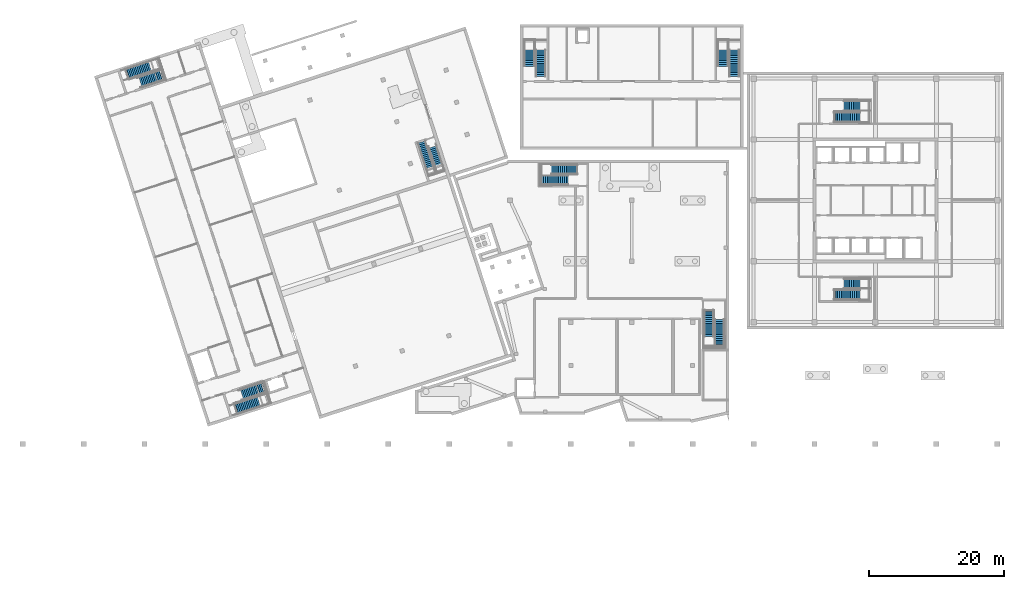
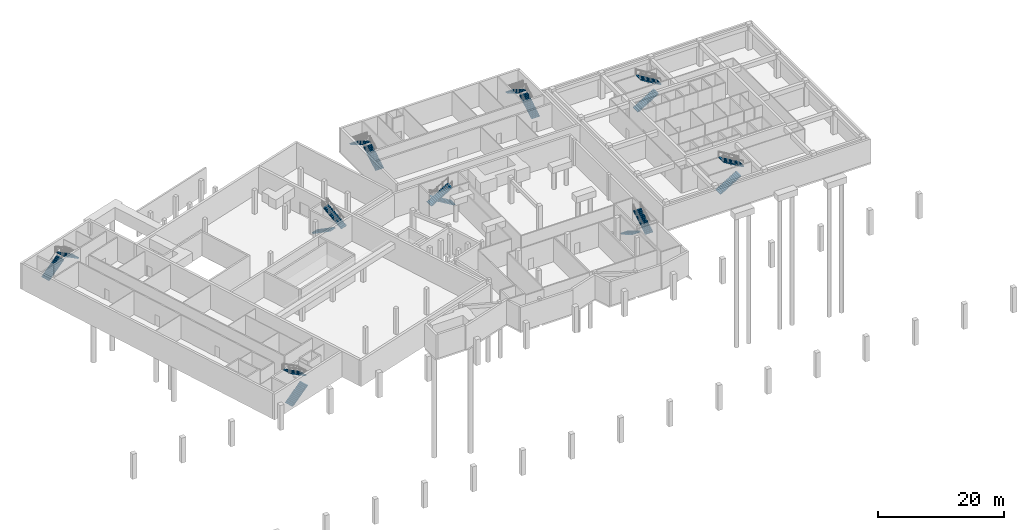
# One storey, part 11 of 15: 18 stair flights, 9 elements without a shape of their own.
"""IFC4 building model written with IfcOpenShell, lengths in metres."""

from ifc_helpers import new_model, si_unit, direction, frame, origin, place, context, subcontext, project, spatial, polyline, outline, extrude, material, type_object, element, aggregate, save


model = new_model("IFC4")

# Units and contexts
model_context = context("Model", 3, precision=1e-05, world=origin(), true_north=direction((0.0, 1.0)))
body_context = subcontext(model_context, "Body", "Model", "MODEL_VIEW")
ifc_project = project(units=[si_unit("LENGTHUNIT", "METRE"), si_unit("AREAUNIT", "SQUARE_METRE"), si_unit("VOLUMEUNIT", "CUBIC_METRE"), si_unit("PLANEANGLEUNIT", "RADIAN"), si_unit("MASSUNIT", "GRAM", prefix="KILO")], contexts=[model_context])

# Site, building, storey
site_placement = place(None, origin())
site = spatial("IfcSite", under=ifc_project, at=site_placement, CompositionType="ELEMENT")
building_placement = place(site_placement, origin())
building = spatial("IfcBuilding", under=site, at=building_placement, Name="Tuart Plaza Theatre", CompositionType="ELEMENT")
storey_placement = place(building_placement, frame((0.0, 0.0, -5.0)))
storey = spatial("IfcBuildingStorey", under=building, at=storey_placement, Name="B1", CompositionType="ELEMENT", Elevation=-5.0)

# Stair, stair flights
ifc_material_1 = material(Name="Concrete N40 (40 MPa)", Category="concrete")
stair_type_1 = type_object("IfcStairType", Name="STAIR half turn 1600", PredefinedType="HALF_TURN_STAIR", material=ifc_material_1)
stair_1_placement = place(storey_placement, origin())
stair_1 = element("IfcStair", 1, at=stair_1_placement, inside=storey, type_object=stair_type_1, Name="SA-1", PredefinedType="HALF_TURN_STAIR")
ifc_material_2 = material(Name="Concrete N40 (40 MPa)", Category="concrete")
stair_flight_type_1 = type_object("IfcStairFlightType", Name="STAIR FLIGHT 166.7 260 1600", PredefinedType="STRAIGHT", material=ifc_material_2)
stair_flight_1_placement = place(storey_placement, frame((37.430419921875, 43.14697265625, 0.0), z_axis=(0.0, 0.0, 1.0), x_axis=(0.951056516295, 0.309016994375, 0.0)))
stair_flight_1 = element("IfcStairFlight", 2, at=stair_flight_1_placement, type_object=stair_flight_type_1, Name="SA-1 flight 1", NumberOfRisers=15, NumberOfTreads=14, PredefinedType="STRAIGHT", RiserHeight=0.166666667, TreadLength=0.26, context=body_context, shape_type="SweptSolid", body=[
    extrude(outline(polyline([(0.0, 0.0), (0.0, 0.166748046875), (0.260009765625, 0.166748046875), (0.260009765625, 0.333251953125), (0.52001953125, 0.333251953125), (0.52001953125, 0.5), (0.780029296875, 0.5), (0.780029296875, 0.666748046875), (1.0400390625, 0.666748046875), (1.0400390625, 0.833251953125), (1.300048828125, 0.833251953125), (1.300048828125, 1.0), (1.56005859375, 1.0), (1.56005859375, 1.166748046875), (1.820068359375, 1.166748046875), (1.820068359375, 1.333251953125), (2.080078125, 1.333251953125), (2.080078125, 1.5), (2.340087890625, 1.5), (2.340087890625, 1.666748046875), (2.60009765625, 1.666748046875), (2.60009765625, 1.833251953125), (2.860107421875, 1.833251953125), (2.860107421875, 2.0), (3.1201171875, 2.0), (3.1201171875, 2.166748046875), (3.3798828125, 2.166748046875), (3.3798828125, 2.333251953125), (3.639892578125, 2.333251953125), (3.639892578125, 2.5), (3.639892578125, 2.1552734375), (0.27783203125, 0.0), (0.0, 0.0)])), frame((0.0, 0.800048828125, 0.0), z_axis=(0.0, -1.0, 0.0), x_axis=(1.0, 0.0, 0.0)), (0.0, 0.0, 1.0), 1.60009765625),
])
stair_flight_2_placement = place(storey_placement, frame((41.873046875, 46.430419921875, 2.5), z_axis=(0.0, 0.0, 1.0), x_axis=(-0.951056516295, -0.309016994375, 0.0)))
stair_flight_2 = element("IfcStairFlight", 3, at=stair_flight_2_placement, type_object=stair_flight_type_1, Name="SA-1 flight 2", NumberOfRisers=15, NumberOfTreads=14, PredefinedType="STRAIGHT", RiserHeight=0.166666667, TreadLength=0.26, context=body_context, shape_type="SweptSolid", body=[
    extrude(outline(polyline([(0.0, 0.0), (0.0, 0.166748046875), (0.260009765625, 0.166748046875), (0.260009765625, 0.333251953125), (0.52001953125, 0.333251953125), (0.52001953125, 0.5), (0.780029296875, 0.5), (0.780029296875, 0.666748046875), (1.0400390625, 0.666748046875), (1.0400390625, 0.833251953125), (1.300048828125, 0.833251953125), (1.300048828125, 1.0), (1.56005859375, 1.0), (1.56005859375, 1.166748046875), (1.820068359375, 1.166748046875), (1.820068359375, 1.333251953125), (2.080078125, 1.333251953125), (2.080078125, 1.5), (2.340087890625, 1.5), (2.340087890625, 1.666748046875), (2.60009765625, 1.666748046875), (2.60009765625, 1.833251953125), (2.860107421875, 1.833251953125), (2.860107421875, 2.0), (3.1201171875, 2.0), (3.1201171875, 2.166748046875), (3.3798828125, 2.166748046875), (3.3798828125, 2.333251953125), (3.639892578125, 2.333251953125), (3.639892578125, 2.5), (3.639892578125, 2.1552734375), (0.27783203125, 0.0), (0.0, 0.0)])), frame((0.0, 0.800048828125, 0.0), z_axis=(0.0, -1.0, 0.0), x_axis=(1.0, 0.0, 0.0)), (0.0, 0.0, 1.0), 1.60009765625),
])
aggregate(stair_1, [stair_flight_1, stair_flight_2])

stair_2_placement = place(storey_placement, origin())
stair_2 = element("IfcStair", 4, at=stair_2_placement, inside=storey, type_object=stair_type_1, Name="SA-2", PredefinedType="HALF_TURN_STAIR")
stair_flight_3_placement = place(storey_placement, frame((21.345947265625, 92.6494140625, 0.0), z_axis=(0.0, 0.0, 1.0), x_axis=(0.951056516295, 0.309016994375, 0.0)))
stair_flight_3 = element("IfcStairFlight", 5, at=stair_flight_3_placement, type_object=stair_flight_type_1, Name="SA-2 flight 1", NumberOfRisers=15, NumberOfTreads=14, PredefinedType="STRAIGHT", RiserHeight=0.166666667, TreadLength=0.26, context=body_context, shape_type="SweptSolid", body=[
    extrude(outline(polyline([(0.0, 0.0), (0.0, 0.166748046875), (0.260009765625, 0.166748046875), (0.260009765625, 0.333251953125), (0.52001953125, 0.333251953125), (0.52001953125, 0.5), (0.780029296875, 0.5), (0.780029296875, 0.666748046875), (1.0400390625, 0.666748046875), (1.0400390625, 0.833251953125), (1.300048828125, 0.833251953125), (1.300048828125, 1.0), (1.56005859375, 1.0), (1.56005859375, 1.166748046875), (1.820068359375, 1.166748046875), (1.820068359375, 1.333251953125), (2.080078125, 1.333251953125), (2.080078125, 1.5), (2.340087890625, 1.5), (2.340087890625, 1.666748046875), (2.60009765625, 1.666748046875), (2.60009765625, 1.833251953125), (2.860107421875, 1.833251953125), (2.860107421875, 2.0), (3.1201171875, 2.0), (3.1201171875, 2.166748046875), (3.3798828125, 2.166748046875), (3.3798828125, 2.333251953125), (3.639892578125, 2.333251953125), (3.639892578125, 2.5), (3.639892578125, 2.1552734375), (0.27783203125, 0.0), (0.0, 0.0)])), frame((0.0, 0.800048828125, 0.0), z_axis=(0.0, -1.0, 0.0), x_axis=(1.0, 0.0, 0.0)), (0.0, 0.0, 1.0), 1.60009765625),
])
stair_flight_4_placement = place(storey_placement, frame((26.870361328125, 92.604248046875, 2.5), z_axis=(0.0, 0.0, 1.0), x_axis=(-0.951056516295, -0.309016994375, 0.0)))
stair_flight_4 = element("IfcStairFlight", 6, at=stair_flight_4_placement, type_object=stair_flight_type_1, Name="SA-2 flight 2", NumberOfRisers=15, NumberOfTreads=14, PredefinedType="STRAIGHT", RiserHeight=0.166666667, TreadLength=0.26, context=body_context, shape_type="SweptSolid", body=[
    extrude(outline(polyline([(0.0, 0.0), (0.0, 0.166748046875), (0.260009765625, 0.166748046875), (0.260009765625, 0.333251953125), (0.52001953125, 0.333251953125), (0.52001953125, 0.5), (0.780029296875, 0.5), (0.780029296875, 0.666748046875), (1.0400390625, 0.666748046875), (1.0400390625, 0.833251953125), (1.300048828125, 0.833251953125), (1.300048828125, 1.0), (1.56005859375, 1.0), (1.56005859375, 1.166748046875), (1.820068359375, 1.166748046875), (1.820068359375, 1.333251953125), (2.080078125, 1.333251953125), (2.080078125, 1.5), (2.340087890625, 1.5), (2.340087890625, 1.666748046875), (2.60009765625, 1.666748046875), (2.60009765625, 1.833251953125), (2.860107421875, 1.833251953125), (2.860107421875, 2.0), (3.1201171875, 2.0), (3.1201171875, 2.166748046875), (3.3798828125, 2.166748046875), (3.3798828125, 2.333251953125), (3.639892578125, 2.333251953125), (3.639892578125, 2.5), (3.639892578125, 2.1552734375), (0.27783203125, 0.0), (0.0, 0.0)])), frame((0.0, 0.800048828125, 0.0), z_axis=(0.0, -1.0, 0.0), x_axis=(1.0, 0.0, 0.0)), (0.0, 0.0, 1.0), 1.60009765625),
])
aggregate(stair_2, [stair_flight_3, stair_flight_4])

ifc_material_3 = material(Name="Concrete N40 (40 MPa)", Category="concrete")
stair_type_2 = type_object("IfcStairType", Name="STAIR half turn 1500", PredefinedType="HALF_TURN_STAIR", material=ifc_material_3)
stair_3_placement = place(storey_placement, origin())
stair_3 = element("IfcStair", 7, at=stair_3_placement, inside=storey, type_object=stair_type_2, Name="SC-20", PredefinedType="HALF_TURN_STAIR")
ifc_material_4 = material(Name="Concrete N40 (40 MPa)", Category="concrete")
stair_flight_type_2 = type_object("IfcStairFlightType", Name="STAIR FLIGHT 166.7 275 1500", PredefinedType="STRAIGHT", material=ifc_material_4)
stair_flight_5_placement = place(storey_placement, frame((125.8701171875, 60.050048828125, 0.0), z_axis=(0.0, 0.0, 1.0), x_axis=(1.0, 0.0, 0.0)))
stair_flight_5 = element("IfcStairFlight", 8, at=stair_flight_5_placement, type_object=stair_flight_type_2, Name="SC-20 flight 1", NumberOfRisers=15, NumberOfTreads=14, PredefinedType="STRAIGHT", RiserHeight=0.166666667, TreadLength=0.275, context=body_context, shape_type="SweptSolid", body=[
    extrude(outline(polyline([(0.0, 0.0), (0.0, 0.166748046875), (0.27490234375, 0.166748046875), (0.27490234375, 0.333251953125), (0.550048828125, 0.333251953125), (0.550048828125, 0.5), (0.824951171875, 0.5), (0.824951171875, 0.666748046875), (1.10009765625, 0.666748046875), (1.10009765625, 0.833251953125), (1.375, 0.833251953125), (1.375, 1.0), (1.64990234375, 1.0), (1.64990234375, 1.166748046875), (1.925048828125, 1.166748046875), (1.925048828125, 1.333251953125), (2.199951171875, 1.333251953125), (2.199951171875, 1.5), (2.47509765625, 1.5), (2.47509765625, 1.666748046875), (2.75, 1.666748046875), (2.75, 1.833251953125), (3.02490234375, 1.833251953125), (3.02490234375, 2.0), (3.300048828125, 2.0), (3.300048828125, 2.166748046875), (3.574951171875, 2.166748046875), (3.574951171875, 2.333251953125), (3.85009765625, 2.333251953125), (3.85009765625, 2.5), (3.85009765625, 2.157958984375), (0.289306640625, 0.0), (0.0, 0.0)])), frame((0.0, 0.75, 0.0), z_axis=(0.0, -1.0, 0.0), x_axis=(1.0, 0.0, 0.0)), (0.0, 0.0, 1.0), 1.5),
])
stair_flight_6_placement = place(storey_placement, frame((131.219970703125, 61.699951171875, 2.5), z_axis=(0.0, 0.0, 1.0), x_axis=(-1.0, 0.0, 0.0)))
stair_flight_6 = element("IfcStairFlight", 9, at=stair_flight_6_placement, type_object=stair_flight_type_2, Name="SC-20 flight 2", NumberOfRisers=15, NumberOfTreads=14, PredefinedType="STRAIGHT", RiserHeight=0.166666667, TreadLength=0.275, context=body_context, shape_type="SweptSolid", body=[
    extrude(outline(polyline([(0.0, 0.0), (0.0, 0.166748046875), (0.27490234375, 0.166748046875), (0.27490234375, 0.333251953125), (0.550048828125, 0.333251953125), (0.550048828125, 0.5), (0.824951171875, 0.5), (0.824951171875, 0.666748046875), (1.10009765625, 0.666748046875), (1.10009765625, 0.833251953125), (1.375, 0.833251953125), (1.375, 1.0), (1.64990234375, 1.0), (1.64990234375, 1.166748046875), (1.925048828125, 1.166748046875), (1.925048828125, 1.333251953125), (2.199951171875, 1.333251953125), (2.199951171875, 1.5), (2.47509765625, 1.5), (2.47509765625, 1.666748046875), (2.75, 1.666748046875), (2.75, 1.833251953125), (3.02490234375, 1.833251953125), (3.02490234375, 2.0), (3.300048828125, 2.0), (3.300048828125, 2.166748046875), (3.574951171875, 2.166748046875), (3.574951171875, 2.333251953125), (3.85009765625, 2.333251953125), (3.85009765625, 2.5), (3.85009765625, 2.157958984375), (0.289306640625, 0.0), (0.0, 0.0)])), frame((0.0, 0.75, 0.0), z_axis=(0.0, -1.0, 0.0), x_axis=(1.0, 0.0, 0.0)), (0.0, 0.0, 1.0), 1.5),
])
aggregate(stair_3, [stair_flight_5, stair_flight_6])

stair_4_placement = place(storey_placement, origin())
stair_4 = element("IfcStair", 10, at=stair_4_placement, inside=storey, type_object=stair_type_2, Name="SC-22", PredefinedType="HALF_TURN_STAIR")
stair_flight_7_placement = place(storey_placement, frame((125.8701171875, 86.300048828125, 0.0), z_axis=(0.0, 0.0, 1.0), x_axis=(1.0, 0.0, 0.0)))
stair_flight_7 = element("IfcStairFlight", 11, at=stair_flight_7_placement, type_object=stair_flight_type_2, Name="SC-22 flight 1", NumberOfRisers=15, NumberOfTreads=14, PredefinedType="STRAIGHT", RiserHeight=0.166666667, TreadLength=0.275, context=body_context, shape_type="SweptSolid", body=[
    extrude(outline(polyline([(0.0, 0.0), (0.0, 0.166748046875), (0.27490234375, 0.166748046875), (0.27490234375, 0.333251953125), (0.550048828125, 0.333251953125), (0.550048828125, 0.5), (0.824951171875, 0.5), (0.824951171875, 0.666748046875), (1.10009765625, 0.666748046875), (1.10009765625, 0.833251953125), (1.375, 0.833251953125), (1.375, 1.0), (1.64990234375, 1.0), (1.64990234375, 1.166748046875), (1.925048828125, 1.166748046875), (1.925048828125, 1.333251953125), (2.199951171875, 1.333251953125), (2.199951171875, 1.5), (2.47509765625, 1.5), (2.47509765625, 1.666748046875), (2.75, 1.666748046875), (2.75, 1.833251953125), (3.02490234375, 1.833251953125), (3.02490234375, 2.0), (3.300048828125, 2.0), (3.300048828125, 2.166748046875), (3.574951171875, 2.166748046875), (3.574951171875, 2.333251953125), (3.85009765625, 2.333251953125), (3.85009765625, 2.5), (3.85009765625, 2.157958984375), (0.289306640625, 0.0), (0.0, 0.0)])), frame((0.0, 0.75, 0.0), z_axis=(0.0, -1.0, 0.0), x_axis=(1.0, 0.0, 0.0)), (0.0, 0.0, 1.0), 1.5),
])
stair_flight_8_placement = place(storey_placement, frame((131.219970703125, 87.949951171875, 2.5), z_axis=(0.0, 0.0, 1.0), x_axis=(-1.0, 0.0, 0.0)))
stair_flight_8 = element("IfcStairFlight", 12, at=stair_flight_8_placement, type_object=stair_flight_type_2, Name="SC-22 flight 2", NumberOfRisers=15, NumberOfTreads=14, PredefinedType="STRAIGHT", RiserHeight=0.166666667, TreadLength=0.275, context=body_context, shape_type="SweptSolid", body=[
    extrude(outline(polyline([(0.0, 0.0), (0.0, 0.166748046875), (0.27490234375, 0.166748046875), (0.27490234375, 0.333251953125), (0.550048828125, 0.333251953125), (0.550048828125, 0.5), (0.824951171875, 0.5), (0.824951171875, 0.666748046875), (1.10009765625, 0.666748046875), (1.10009765625, 0.833251953125), (1.375, 0.833251953125), (1.375, 1.0), (1.64990234375, 1.0), (1.64990234375, 1.166748046875), (1.925048828125, 1.166748046875), (1.925048828125, 1.333251953125), (2.199951171875, 1.333251953125), (2.199951171875, 1.5), (2.47509765625, 1.5), (2.47509765625, 1.666748046875), (2.75, 1.666748046875), (2.75, 1.833251953125), (3.02490234375, 1.833251953125), (3.02490234375, 2.0), (3.300048828125, 2.0), (3.300048828125, 2.166748046875), (3.574951171875, 2.166748046875), (3.574951171875, 2.333251953125), (3.85009765625, 2.333251953125), (3.85009765625, 2.5), (3.85009765625, 2.157958984375), (0.289306640625, 0.0), (0.0, 0.0)])), frame((0.0, 0.75, 0.0), z_axis=(0.0, -1.0, 0.0), x_axis=(1.0, 0.0, 0.0)), (0.0, 0.0, 1.0), 1.5),
])
aggregate(stair_4, [stair_flight_7, stair_flight_8])

ifc_material_5 = material(Name="Concrete N40 (40 MPa)", Category="concrete")
stair_type_3 = type_object("IfcStairType", Name="STAIR half turn 1200", PredefinedType="HALF_TURN_STAIR", material=ifc_material_5)
stair_5_placement = place(storey_placement, origin())
stair_5 = element("IfcStair", 13, at=stair_5_placement, inside=storey, type_object=stair_type_3, Name="SA-6", PredefinedType="HALF_TURN_STAIR")
ifc_material_6 = material(Name="Concrete N40 (40 MPa)", Category="concrete")
stair_flight_type_3 = type_object("IfcStairFlightType", Name="STAIR FLIGHT 166.7 280 1200", PredefinedType="STRAIGHT", material=ifc_material_6)
stair_flight_9_placement = place(storey_placement, frame((64.946044921875, 82.60595703125, 0.0), z_axis=(0.0, 0.0, 1.0), x_axis=(0.309016994375, -0.951056516295, 0.0)))
stair_flight_9 = element("IfcStairFlight", 14, at=stair_flight_9_placement, type_object=stair_flight_type_3, Name="SA-6 flight 1", NumberOfRisers=15, NumberOfTreads=14, PredefinedType="STRAIGHT", RiserHeight=0.166666667, TreadLength=0.28, context=body_context, shape_type="SweptSolid", body=[
    extrude(outline(polyline([(0.0, 0.0), (0.0, 0.166748046875), (0.280029296875, 0.166748046875), (0.280029296875, 0.333251953125), (0.56005859375, 0.333251953125), (0.56005859375, 0.5), (0.840087890625, 0.5), (0.840087890625, 0.666748046875), (1.1201171875, 0.666748046875), (1.1201171875, 0.833251953125), (1.39990234375, 0.833251953125), (1.39990234375, 1.0), (1.679931640625, 1.0), (1.679931640625, 1.166748046875), (1.9599609375, 1.166748046875), (1.9599609375, 1.333251953125), (2.239990234375, 1.333251953125), (2.239990234375, 1.5), (2.52001953125, 1.5), (2.52001953125, 1.666748046875), (2.800048828125, 1.666748046875), (2.800048828125, 1.833251953125), (3.080078125, 1.833251953125), (3.080078125, 2.0), (3.360107421875, 2.0), (3.360107421875, 2.166748046875), (3.639892578125, 2.166748046875), (3.639892578125, 2.333251953125), (3.919921875, 2.333251953125), (3.919921875, 2.5), (3.919921875, 2.158935546875), (0.29296875, 0.0), (0.0, 0.0)])), frame((0.0, 0.60009765625, 0.0), z_axis=(0.0, -1.0, 0.0), x_axis=(1.0, 0.0, 0.0)), (0.0, 0.0, 1.0), 1.199951171875),
])
stair_flight_10_placement = place(storey_placement, frame((67.812255859375, 78.15380859375, 2.5), z_axis=(0.0, 0.0, 1.0), x_axis=(-0.309016994375, 0.951056516295, 0.0)))
stair_flight_10 = element("IfcStairFlight", 15, at=stair_flight_10_placement, type_object=stair_flight_type_3, Name="SA-6 flight 2", NumberOfRisers=15, NumberOfTreads=14, PredefinedType="STRAIGHT", RiserHeight=0.166666667, TreadLength=0.28, context=body_context, shape_type="SweptSolid", body=[
    extrude(outline(polyline([(0.0, 0.0), (0.0, 0.166748046875), (0.280029296875, 0.166748046875), (0.280029296875, 0.333251953125), (0.56005859375, 0.333251953125), (0.56005859375, 0.5), (0.840087890625, 0.5), (0.840087890625, 0.666748046875), (1.1201171875, 0.666748046875), (1.1201171875, 0.833251953125), (1.39990234375, 0.833251953125), (1.39990234375, 1.0), (1.679931640625, 1.0), (1.679931640625, 1.166748046875), (1.9599609375, 1.166748046875), (1.9599609375, 1.333251953125), (2.239990234375, 1.333251953125), (2.239990234375, 1.5), (2.52001953125, 1.5), (2.52001953125, 1.666748046875), (2.800048828125, 1.666748046875), (2.800048828125, 1.833251953125), (3.080078125, 1.833251953125), (3.080078125, 2.0), (3.360107421875, 2.0), (3.360107421875, 2.166748046875), (3.639892578125, 2.166748046875), (3.639892578125, 2.333251953125), (3.919921875, 2.333251953125), (3.919921875, 2.5), (3.919921875, 2.158935546875), (0.29296875, 0.0), (0.0, 0.0)])), frame((0.0, 0.60009765625, 0.0), z_axis=(0.0, -1.0, 0.0), x_axis=(1.0, 0.0, 0.0)), (0.0, 0.0, 1.0), 1.199951171875),
])
aggregate(stair_5, [stair_flight_9, stair_flight_10])

ifc_material_7 = material(Name="Concrete N40 (40 MPa)", Category="concrete")
stair_type_4 = type_object("IfcStairType", Name="STAIR half turn 1400", PredefinedType="HALF_TURN_STAIR", material=ifc_material_7)
stair_6_placement = place(storey_placement, origin())
stair_6 = element("IfcStair", 16, at=stair_6_placement, inside=storey, type_object=stair_type_4, Name="SB-12", PredefinedType="HALF_TURN_STAIR")
ifc_material_8 = material(Name="Concrete N40 (40 MPa)", Category="concrete")
stair_flight_type_4 = type_object("IfcStairFlightType", Name="STAIR FLIGHT 166.7 280 1400", PredefinedType="STRAIGHT", material=ifc_material_8)
stair_flight_11_placement = place(storey_placement, frame((107.39990234375, 57.800048828125, 0.0), z_axis=(0.0, 0.0, 1.0), x_axis=(0.0, -1.0, 0.0)))
stair_flight_11 = element("IfcStairFlight", 17, at=stair_flight_11_placement, type_object=stair_flight_type_4, Name="SB-12 flight 1", NumberOfRisers=15, NumberOfTreads=14, PredefinedType="STRAIGHT", RiserHeight=0.166666667, TreadLength=0.28, context=body_context, shape_type="SweptSolid", body=[
    extrude(outline(polyline([(0.0, 0.0), (0.0, 0.166748046875), (0.280029296875, 0.166748046875), (0.280029296875, 0.333251953125), (0.56005859375, 0.333251953125), (0.56005859375, 0.5), (0.840087890625, 0.5), (0.840087890625, 0.666748046875), (1.1201171875, 0.666748046875), (1.1201171875, 0.833251953125), (1.39990234375, 0.833251953125), (1.39990234375, 1.0), (1.679931640625, 1.0), (1.679931640625, 1.166748046875), (1.9599609375, 1.166748046875), (1.9599609375, 1.333251953125), (2.239990234375, 1.333251953125), (2.239990234375, 1.5), (2.52001953125, 1.5), (2.52001953125, 1.666748046875), (2.800048828125, 1.666748046875), (2.800048828125, 1.833251953125), (3.080078125, 1.833251953125), (3.080078125, 2.0), (3.360107421875, 2.0), (3.360107421875, 2.166748046875), (3.639892578125, 2.166748046875), (3.639892578125, 2.333251953125), (3.919921875, 2.333251953125), (3.919921875, 2.5), (3.919921875, 2.158935546875), (0.29296875, 0.0), (0.0, 0.0)])), frame((0.0, 0.699951171875, 0.0), z_axis=(0.0, -1.0, 0.0), x_axis=(1.0, 0.0, 0.0)), (0.0, 0.0, 1.0), 1.39990234375),
])
stair_flight_12_placement = place(storey_placement, frame((108.949951171875, 52.47998046875, 2.5), z_axis=(0.0, 0.0, 1.0), x_axis=(0.0, 1.0, 0.0)))
stair_flight_12 = element("IfcStairFlight", 18, at=stair_flight_12_placement, type_object=stair_flight_type_4, Name="SB-12 flight 2", NumberOfRisers=15, NumberOfTreads=14, PredefinedType="STRAIGHT", RiserHeight=0.166666667, TreadLength=0.28, context=body_context, shape_type="SweptSolid", body=[
    extrude(outline(polyline([(0.0, 0.0), (0.0, 0.166748046875), (0.280029296875, 0.166748046875), (0.280029296875, 0.333251953125), (0.56005859375, 0.333251953125), (0.56005859375, 0.5), (0.840087890625, 0.5), (0.840087890625, 0.666748046875), (1.1201171875, 0.666748046875), (1.1201171875, 0.833251953125), (1.39990234375, 0.833251953125), (1.39990234375, 1.0), (1.679931640625, 1.0), (1.679931640625, 1.166748046875), (1.9599609375, 1.166748046875), (1.9599609375, 1.333251953125), (2.239990234375, 1.333251953125), (2.239990234375, 1.5), (2.52001953125, 1.5), (2.52001953125, 1.666748046875), (2.800048828125, 1.666748046875), (2.800048828125, 1.833251953125), (3.080078125, 1.833251953125), (3.080078125, 2.0), (3.360107421875, 2.0), (3.360107421875, 2.166748046875), (3.639892578125, 2.166748046875), (3.639892578125, 2.333251953125), (3.919921875, 2.333251953125), (3.919921875, 2.5), (3.919921875, 2.158935546875), (0.29296875, 0.0), (0.0, 0.0)])), frame((0.0, 0.699951171875, 0.0), z_axis=(0.0, -1.0, 0.0), x_axis=(1.0, 0.0, 0.0)), (0.0, 0.0, 1.0), 1.39990234375),
])
aggregate(stair_6, [stair_flight_11, stair_flight_12])

stair_7_placement = place(storey_placement, origin())
stair_7 = element("IfcStair", 19, at=stair_7_placement, inside=storey, type_object=stair_type_4, Name="SB-14", PredefinedType="HALF_TURN_STAIR")
stair_flight_13_placement = place(storey_placement, frame((88.0, 78.550048828125, 0.0), z_axis=(0.0, 0.0, 1.0), x_axis=(-1.0, 0.0, 0.0)))
stair_flight_13 = element("IfcStairFlight", 20, at=stair_flight_13_placement, type_object=stair_flight_type_4, Name="SB-14 flight 1", NumberOfRisers=15, NumberOfTreads=14, PredefinedType="STRAIGHT", RiserHeight=0.166666667, TreadLength=0.28, context=body_context, shape_type="SweptSolid", body=[
    extrude(outline(polyline([(0.0, 0.0), (0.0, 0.166748046875), (0.280029296875, 0.166748046875), (0.280029296875, 0.333251953125), (0.56005859375, 0.333251953125), (0.56005859375, 0.5), (0.840087890625, 0.5), (0.840087890625, 0.666748046875), (1.1201171875, 0.666748046875), (1.1201171875, 0.833251953125), (1.39990234375, 0.833251953125), (1.39990234375, 1.0), (1.679931640625, 1.0), (1.679931640625, 1.166748046875), (1.9599609375, 1.166748046875), (1.9599609375, 1.333251953125), (2.239990234375, 1.333251953125), (2.239990234375, 1.5), (2.52001953125, 1.5), (2.52001953125, 1.666748046875), (2.800048828125, 1.666748046875), (2.800048828125, 1.833251953125), (3.080078125, 1.833251953125), (3.080078125, 2.0), (3.360107421875, 2.0), (3.360107421875, 2.166748046875), (3.639892578125, 2.166748046875), (3.639892578125, 2.333251953125), (3.919921875, 2.333251953125), (3.919921875, 2.5), (3.919921875, 2.158935546875), (0.29296875, 0.0), (0.0, 0.0)])), frame((0.0, 0.699951171875, 0.0), z_axis=(0.0, -1.0, 0.0), x_axis=(1.0, 0.0, 0.0)), (0.0, 0.0, 1.0), 1.39990234375),
])
stair_flight_14_placement = place(storey_placement, frame((82.679931640625, 77.0, 2.5), z_axis=(0.0, 0.0, 1.0), x_axis=(1.0, 0.0, 0.0)))
stair_flight_14 = element("IfcStairFlight", 21, at=stair_flight_14_placement, type_object=stair_flight_type_4, Name="SB-14 flight 2", NumberOfRisers=15, NumberOfTreads=14, PredefinedType="STRAIGHT", RiserHeight=0.166666667, TreadLength=0.28, context=body_context, shape_type="SweptSolid", body=[
    extrude(outline(polyline([(0.0, 0.0), (0.0, 0.166748046875), (0.280029296875, 0.166748046875), (0.280029296875, 0.333251953125), (0.56005859375, 0.333251953125), (0.56005859375, 0.5), (0.840087890625, 0.5), (0.840087890625, 0.666748046875), (1.1201171875, 0.666748046875), (1.1201171875, 0.833251953125), (1.39990234375, 0.833251953125), (1.39990234375, 1.0), (1.679931640625, 1.0), (1.679931640625, 1.166748046875), (1.9599609375, 1.166748046875), (1.9599609375, 1.333251953125), (2.239990234375, 1.333251953125), (2.239990234375, 1.5), (2.52001953125, 1.5), (2.52001953125, 1.666748046875), (2.800048828125, 1.666748046875), (2.800048828125, 1.833251953125), (3.080078125, 1.833251953125), (3.080078125, 2.0), (3.360107421875, 2.0), (3.360107421875, 2.166748046875), (3.639892578125, 2.166748046875), (3.639892578125, 2.333251953125), (3.919921875, 2.333251953125), (3.919921875, 2.5), (3.919921875, 2.158935546875), (0.29296875, 0.0), (0.0, 0.0)])), frame((0.0, 0.699951171875, 0.0), z_axis=(0.0, -1.0, 0.0), x_axis=(1.0, 0.0, 0.0)), (0.0, 0.0, 1.0), 1.39990234375),
])
aggregate(stair_7, [stair_flight_13, stair_flight_14])

stair_8_placement = place(storey_placement, origin())
stair_8 = element("IfcStair", 22, at=stair_8_placement, inside=storey, type_object=stair_type_2, Name="SD-1", PredefinedType="HALF_TURN_STAIR")
ifc_material_9 = material(Name="Concrete N40 (40 MPa)", Category="concrete")
stair_flight_type_5 = type_object("IfcStairFlightType", Name="STAIR FLIGHT 166.7 280 1500", PredefinedType="STRAIGHT", material=ifc_material_9)
stair_flight_15_placement = place(storey_placement, frame((82.52490234375, 92.300048828125, 0.0), z_axis=(0.0, 0.0, 1.0), x_axis=(0.0, 1.0, 0.0)))
stair_flight_15 = element("IfcStairFlight", 23, at=stair_flight_15_placement, type_object=stair_flight_type_5, Name="SD-1 flight 1", NumberOfRisers=15, NumberOfTreads=14, PredefinedType="STRAIGHT", RiserHeight=0.166666667, TreadLength=0.28, context=body_context, shape_type="SweptSolid", body=[
    extrude(outline(polyline([(0.0, 0.0), (0.0, 0.166748046875), (0.280029296875, 0.166748046875), (0.280029296875, 0.333251953125), (0.56005859375, 0.333251953125), (0.56005859375, 0.5), (0.840087890625, 0.5), (0.840087890625, 0.666748046875), (1.1201171875, 0.666748046875), (1.1201171875, 0.833251953125), (1.39990234375, 0.833251953125), (1.39990234375, 1.0), (1.679931640625, 1.0), (1.679931640625, 1.166748046875), (1.9599609375, 1.166748046875), (1.9599609375, 1.333251953125), (2.239990234375, 1.333251953125), (2.239990234375, 1.5), (2.52001953125, 1.5), (2.52001953125, 1.666748046875), (2.800048828125, 1.666748046875), (2.800048828125, 1.833251953125), (3.080078125, 1.833251953125), (3.080078125, 2.0), (3.360107421875, 2.0), (3.360107421875, 2.166748046875), (3.639892578125, 2.166748046875), (3.639892578125, 2.333251953125), (3.919921875, 2.333251953125), (3.919921875, 2.5), (3.919921875, 2.158935546875), (0.29296875, 0.0), (0.0, 0.0)])), frame((0.0, 0.75, 0.0), z_axis=(0.0, -1.0, 0.0), x_axis=(1.0, 0.0, 0.0)), (0.0, 0.0, 1.0), 1.5),
])
stair_flight_16_placement = place(storey_placement, frame((80.875, 97.719970703125, 2.5), z_axis=(0.0, 0.0, 1.0), x_axis=(0.0, -1.0, 0.0)))
stair_flight_16 = element("IfcStairFlight", 24, at=stair_flight_16_placement, type_object=stair_flight_type_5, Name="SD-1 flight 2", NumberOfRisers=15, NumberOfTreads=14, PredefinedType="STRAIGHT", RiserHeight=0.166666667, TreadLength=0.28, context=body_context, shape_type="SweptSolid", body=[
    extrude(outline(polyline([(0.0, 0.0), (0.0, 0.166748046875), (0.280029296875, 0.166748046875), (0.280029296875, 0.333251953125), (0.56005859375, 0.333251953125), (0.56005859375, 0.5), (0.840087890625, 0.5), (0.840087890625, 0.666748046875), (1.1201171875, 0.666748046875), (1.1201171875, 0.833251953125), (1.39990234375, 0.833251953125), (1.39990234375, 1.0), (1.679931640625, 1.0), (1.679931640625, 1.166748046875), (1.9599609375, 1.166748046875), (1.9599609375, 1.333251953125), (2.239990234375, 1.333251953125), (2.239990234375, 1.5), (2.52001953125, 1.5), (2.52001953125, 1.666748046875), (2.800048828125, 1.666748046875), (2.800048828125, 1.833251953125), (3.080078125, 1.833251953125), (3.080078125, 2.0), (3.360107421875, 2.0), (3.360107421875, 2.166748046875), (3.639892578125, 2.166748046875), (3.639892578125, 2.333251953125), (3.919921875, 2.333251953125), (3.919921875, 2.5), (3.919921875, 2.158935546875), (0.29296875, 0.0), (0.0, 0.0)])), frame((0.0, 0.75, 0.0), z_axis=(0.0, -1.0, 0.0), x_axis=(1.0, 0.0, 0.0)), (0.0, 0.0, 1.0), 1.5),
])
aggregate(stair_8, [stair_flight_15, stair_flight_16])

stair_9_placement = place(storey_placement, origin())
stair_9 = element("IfcStair", 25, at=stair_9_placement, inside=storey, type_object=stair_type_2, Name="SD-2", PredefinedType="HALF_TURN_STAIR")
stair_flight_17_placement = place(storey_placement, frame((111.125, 92.300048828125, 0.0), z_axis=(0.0, 0.0, 1.0), x_axis=(0.0, 1.0, 0.0)))
stair_flight_17 = element("IfcStairFlight", 26, at=stair_flight_17_placement, type_object=stair_flight_type_5, Name="SD-2 flight 1", NumberOfRisers=15, NumberOfTreads=14, PredefinedType="STRAIGHT", RiserHeight=0.166666667, TreadLength=0.28, context=body_context, shape_type="SweptSolid", body=[
    extrude(outline(polyline([(0.0, 0.0), (0.0, 0.166748046875), (0.280029296875, 0.166748046875), (0.280029296875, 0.333251953125), (0.56005859375, 0.333251953125), (0.56005859375, 0.5), (0.840087890625, 0.5), (0.840087890625, 0.666748046875), (1.1201171875, 0.666748046875), (1.1201171875, 0.833251953125), (1.39990234375, 0.833251953125), (1.39990234375, 1.0), (1.679931640625, 1.0), (1.679931640625, 1.166748046875), (1.9599609375, 1.166748046875), (1.9599609375, 1.333251953125), (2.239990234375, 1.333251953125), (2.239990234375, 1.5), (2.52001953125, 1.5), (2.52001953125, 1.666748046875), (2.800048828125, 1.666748046875), (2.800048828125, 1.833251953125), (3.080078125, 1.833251953125), (3.080078125, 2.0), (3.360107421875, 2.0), (3.360107421875, 2.166748046875), (3.639892578125, 2.166748046875), (3.639892578125, 2.333251953125), (3.919921875, 2.333251953125), (3.919921875, 2.5), (3.919921875, 2.158935546875), (0.29296875, 0.0), (0.0, 0.0)])), frame((0.0, 0.75, 0.0), z_axis=(0.0, -1.0, 0.0), x_axis=(1.0, 0.0, 0.0)), (0.0, 0.0, 1.0), 1.5),
])
stair_flight_18_placement = place(storey_placement, frame((109.47509765625, 97.719970703125, 2.5), z_axis=(0.0, 0.0, 1.0), x_axis=(0.0, -1.0, 0.0)))
stair_flight_18 = element("IfcStairFlight", 27, at=stair_flight_18_placement, type_object=stair_flight_type_5, Name="SD-2 flight 2", NumberOfRisers=15, NumberOfTreads=14, PredefinedType="STRAIGHT", RiserHeight=0.166666667, TreadLength=0.28, context=body_context, shape_type="SweptSolid", body=[
    extrude(outline(polyline([(0.0, 0.0), (0.0, 0.166748046875), (0.280029296875, 0.166748046875), (0.280029296875, 0.333251953125), (0.56005859375, 0.333251953125), (0.56005859375, 0.5), (0.840087890625, 0.5), (0.840087890625, 0.666748046875), (1.1201171875, 0.666748046875), (1.1201171875, 0.833251953125), (1.39990234375, 0.833251953125), (1.39990234375, 1.0), (1.679931640625, 1.0), (1.679931640625, 1.166748046875), (1.9599609375, 1.166748046875), (1.9599609375, 1.333251953125), (2.239990234375, 1.333251953125), (2.239990234375, 1.5), (2.52001953125, 1.5), (2.52001953125, 1.666748046875), (2.800048828125, 1.666748046875), (2.800048828125, 1.833251953125), (3.080078125, 1.833251953125), (3.080078125, 2.0), (3.360107421875, 2.0), (3.360107421875, 2.166748046875), (3.639892578125, 2.166748046875), (3.639892578125, 2.333251953125), (3.919921875, 2.333251953125), (3.919921875, 2.5), (3.919921875, 2.158935546875), (0.29296875, 0.0), (0.0, 0.0)])), frame((0.0, 0.75, 0.0), z_axis=(0.0, -1.0, 0.0), x_axis=(1.0, 0.0, 0.0)), (0.0, 0.0, 1.0), 1.5),
])
aggregate(stair_9, [stair_flight_17, stair_flight_18])

save(model, "model.ifc")
